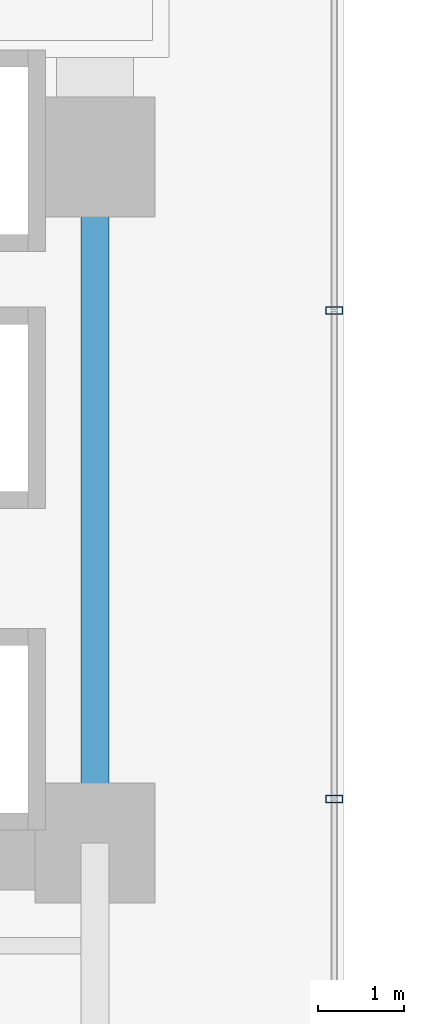
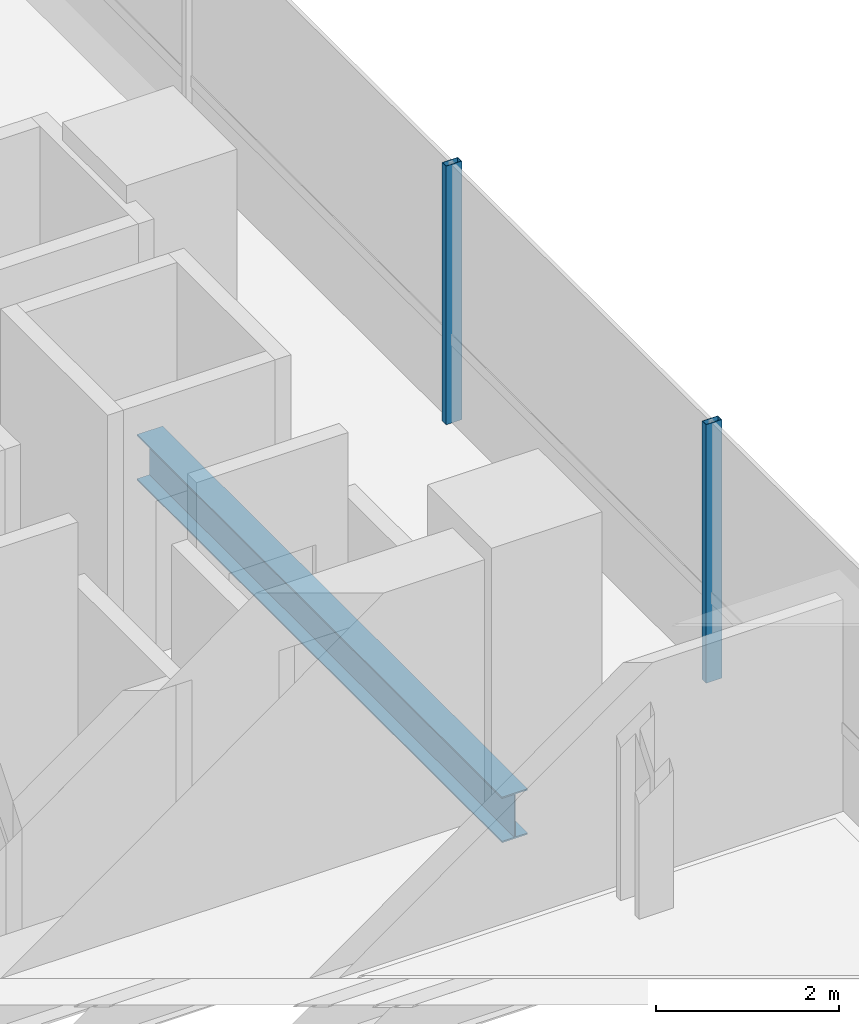
# One storey, part 6 of 39: 2 members, 1 beam, 1 element without a shape of its own.
"""IFC4 building model written with IfcOpenShell, lengths in metres."""

from ifc_helpers import new_model, si_unit, direction, frame, origin, origin_2d, place, context, subcontext, project, spatial, hollow_rectangle, i_section, extrude, source, transform, mapped, material, material_profile, profile_set, type_object, element, aggregate, save


model = new_model("IFC4")

# Units and contexts
model_context = context("Model", 3, precision=1e-05, world=origin(), true_north=direction((0.0, 1.0)))
body_context = subcontext(model_context, "Body", "Model", "MODEL_VIEW")
ifc_project = project(units=[si_unit("LENGTHUNIT", "METRE"), si_unit("AREAUNIT", "SQUARE_METRE"), si_unit("VOLUMEUNIT", "CUBIC_METRE"), si_unit("PLANEANGLEUNIT", "RADIAN"), si_unit("MASSUNIT", "GRAM", prefix="KILO")], contexts=[model_context])

# Site, building, storey
site_placement = place(None, origin())
site = spatial("IfcSite", under=ifc_project, at=site_placement, CompositionType="ELEMENT")
building_placement = place(site_placement, origin())
building = spatial("IfcBuilding", under=site, at=building_placement, Name="Valdorenza Pilgrim Sanctuary Tower", CompositionType="ELEMENT")
storey_placement = place(building_placement, frame((0.0, 0.0, 74.10009765625)))
storey = spatial("IfcBuildingStorey", under=building, at=storey_placement, Name="L18", CompositionType="ELEMENT", Elevation=74.10009765625)

# Beam
ifc_material_1 = material(Name="Steel ASTM A992 Grade 50", Category="steel")
ifc_material_profile_1 = material_profile(ifc_material_1, i_section(OverallWidth=0.323974609375, OverallDepth=0.611083984375, WebThickness=0.0126953125, FlangeThickness=0.01904296875, at=origin_2d()), Name="W24X104")
ifc_profile_set_1 = profile_set([ifc_material_profile_1], Name="Steel ASTM A992 Grade 50")
beam_type = type_object("IfcBeamType", Name="STR-BM-GRD-W24B", PredefinedType="BEAM", material=ifc_profile_set_1)
shared_shape_1 = source(origin(), body_context, "Body", "SweptSolid", [
    extrude(i_section(OverallWidth=0.323974609375, OverallDepth=0.611083984375, WebThickness=0.0126953125, FlangeThickness=0.01904296875, at=origin_2d()), origin(), (0.0, 0.0, 1.0), 8.0),
])
beam_placement = place(storey_placement, frame((-12.39990234375, -10.60009765625, -0.545654296875), z_axis=(0.0, 1.0, 0.0), x_axis=(-1.0, 0.0, 0.0)))
element("IfcBeam", 1, at=beam_placement, inside=storey, type_object=beam_type, Name="L18 Core Tie Girder CA-E-S1M0", PredefinedType="BEAM", context=body_context, shape_type="MappedRepresentation", body=[
    mapped(shared_shape_1, transform((0.0, 0.0, 0.0), x_axis=(1.0, 0.0, 0.0), y_axis=(0.0, 1.0, 0.0), z_axis=(0.0, 0.0, 1.0), scale=1.0)),
])

# Curtain wall, members
ifc_material_2 = material(Name="Curtain-wall IGU glazing", Category="glass")
curtain_wall_type = type_object("IfcCurtainWallType", Name="CW-SYS-02", PredefinedType="NOTDEFINED", material=ifc_material_2)
curtain_wall_placement = place(storey_placement, origin())
curtain_wall = element("IfcCurtainWall", 2, at=curtain_wall_placement, inside=storey, type_object=curtain_wall_type, Name="L18 Curtain Wall CW-L18-1-41", PredefinedType="NOTDEFINED")
ifc_material_3 = material(Name="Anodised aluminium AW-6060", Category="aluminium")
ifc_material_profile_2 = material_profile(ifc_material_3, hollow_rectangle(XDim=0.0849609375, YDim=0.199951171875, WallThickness=0.0048828125, at=origin_2d()), Name="ALU-M 200x85x5")
ifc_profile_set_2 = profile_set([ifc_material_profile_2], Name="Anodised aluminium AW-6060")
member_type = type_object("IfcMemberType", Name="CW-MUL-02", PredefinedType="MULLION", material=ifc_profile_set_2)
shared_shape_2 = source(origin(), body_context, "Body", "SweptSolid", [
    extrude(hollow_rectangle(XDim=0.0849609375, YDim=0.199951171875, WallThickness=0.0048828125, at=origin_2d()), origin(), (0.0, 0.0, 1.0), 3.4599609375),
])
member_1_placement = place(storey_placement, frame((-9.610107421875, -4.38916015625, 0.0), z_axis=(0.0, 0.0, 1.0), x_axis=(0.0, -1.0, 0.0)))
member_1 = element("IfcMember", 3, at=member_1_placement, type_object=member_type, Name="CW-L18-1-41 Mullion 3", PredefinedType="MULLION", context=body_context, shape_type="MappedRepresentation", body=[
    mapped(shared_shape_2, transform((0.0, 0.0, 0.0), x_axis=(1.0, 0.0, 0.0), y_axis=(0.0, 1.0, 0.0), z_axis=(0.0, 0.0, 1.0), scale=1.0)),
])
member_2_placement = place(storey_placement, frame((-9.610107421875, -10.089111328125, 0.0), z_axis=(0.0, 0.0, 1.0), x_axis=(0.0, -1.0, 0.0)))
member_2 = element("IfcMember", 4, at=member_2_placement, type_object=member_type, Name="CW-L18-1-41 Mullion 4", PredefinedType="MULLION", context=body_context, shape_type="MappedRepresentation", body=[
    mapped(shared_shape_2, transform((0.0, 0.0, 0.0), x_axis=(1.0, 0.0, 0.0), y_axis=(0.0, 1.0, 0.0), z_axis=(0.0, 0.0, 1.0), scale=1.0)),
])
aggregate(curtain_wall, [member_1, member_2])

save(model, "model.ifc")
